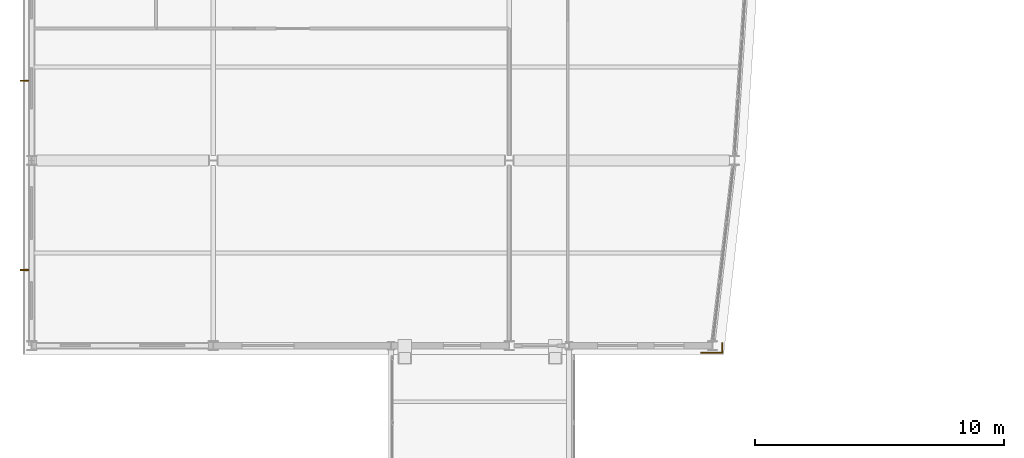
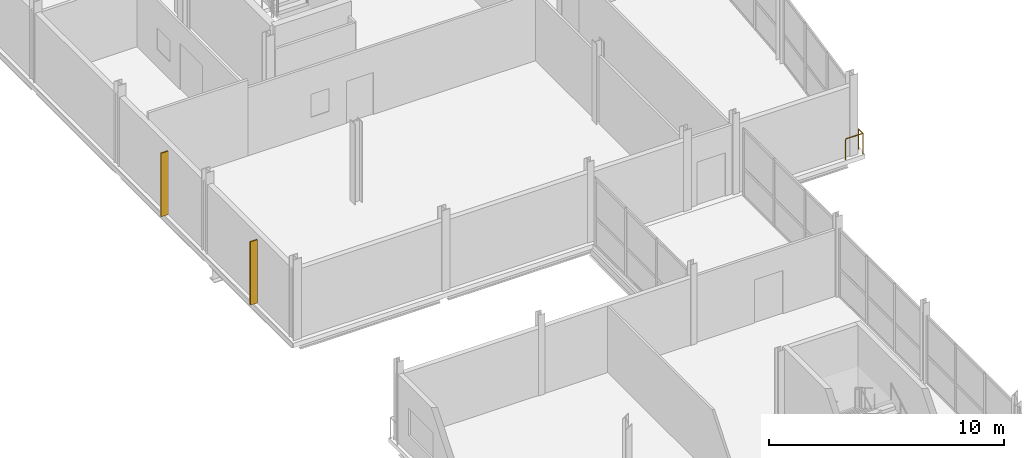
# One storey, part 56 of 60: 2 shading devices, 1 railing.
"""IFC4 building model written with IfcOpenShell, lengths in metres."""

from ifc_helpers import new_model, si_unit, direction, frame, origin, origin_2d, place, context, subcontext, project, spatial, rectangle, circle, extrude, material, type_object, element, save


model = new_model("IFC4")

# Units and contexts
model_context = context("Model", 3, precision=1e-05, world=origin(), true_north=direction((0.0, 1.0)))
body_context = subcontext(model_context, "Body", "Model", "MODEL_VIEW")
ifc_project = project(units=[si_unit("LENGTHUNIT", "METRE"), si_unit("AREAUNIT", "SQUARE_METRE"), si_unit("VOLUMEUNIT", "CUBIC_METRE"), si_unit("PLANEANGLEUNIT", "RADIAN"), si_unit("MASSUNIT", "GRAM", prefix="KILO")], contexts=[model_context])

# Site, building, storey
site_placement = place(None, origin())
site = spatial("IfcSite", under=ifc_project, at=site_placement, CompositionType="ELEMENT")
building_placement = place(site_placement, origin())
building = spatial("IfcBuilding", under=site, at=building_placement, Name="Quillay Park Conservatory", CompositionType="ELEMENT")
storey_placement = place(building_placement, frame((0.0, 0.0, 9.89990234375)))
storey = spatial("IfcBuildingStorey", under=building, at=storey_placement, Name="L02", CompositionType="ELEMENT", Elevation=9.89990234375)

# Railing
ifc_material_1 = material(Name="Steel S355J2H", Category="steel")
railing_type = type_object("IfcRailingType", Name="TERRACE PERIMETER GUARDRAIL 1100", PredefinedType="GUARDRAIL", material=ifc_material_1)
railing_placement = place(storey_placement, frame((27.465087890625, 62.760009765625, 0.0)))
element("IfcRailing", 1, at=railing_placement, inside=storey, type_object=railing_type, Name="L02 Perimeter Safety Guardrail 023", PredefinedType="GUARDRAIL", context=body_context, shape_type="SweptSolid", body=[
    extrude(circle(Radius=0.02392578125, at=origin_2d()), frame((0.0, 0.0, 1.076171875), z_axis=(1.0, 0.0, 0.0), x_axis=(0.0, 1.0, 0.0)), (0.0, 0.0, 1.0), 0.849853515625),
    extrude(circle(Radius=0.02392578125, at=origin_2d()), frame((0.849853515625, 0.0, 1.076171875), z_axis=(0.0, 1.0, 0.0), x_axis=(-1.0, 0.0, 0.0)), (0.0, 0.0, 1.0), 0.389892578125),
    extrude(circle(Radius=0.02099609375, at=origin_2d()), origin(), (0.0, 0.0, 1.0), 1.052001953125),
    extrude(circle(Radius=0.02099609375, at=origin_2d()), frame((0.849853515625, 0.0, 0.0)), (0.0, 0.0, 1.0), 1.052001953125),
    extrude(circle(Radius=0.02099609375, at=origin_2d()), frame((0.849853515625, 0.389892578125, 0.0)), (0.0, 0.0, 1.0), 1.052001953125),
])

# Shading devices
ifc_material_2 = material(Name="Perforated Copper-Bronze Anodised Aluminium", Category="aluminium")
shading_device_type = type_object("IfcShadingDeviceType", Name="COPPER BRONZE SOLAR FIN", PredefinedType="USERDEFINED", material=ifc_material_2)
for number, where, z_axis, x_axis, name in (
    (2, (0.2548828125, 66.10009765625, 0.0), (0.0, 0.0, 1.0), (1.0, 0.0, 0.0), "L02 Perforated Copper-Bronze Solar Fin 001"),
    (3, (0.2548828125, 73.699951171875, 0.0), (0.0, 0.0, 1.0), (1.0, 0.0, 0.0), "L02 Perforated Copper-Bronze Solar Fin 002"),
):
    element("IfcShadingDevice", number, at=place(storey_placement, frame(where, z_axis=z_axis, x_axis=x_axis)), inside=storey, type_object=shading_device_type, Name=name, ObjectType="SOLAR FIN", PredefinedType="USERDEFINED", context=body_context, shape_type="SweptSolid", body=[
        extrude(rectangle(XDim=0.35009765625, YDim=0.054931640625, at=origin_2d()), origin(), (0.0, 0.0, 1.0), 3.300048828125),
    ])

save(model, "model.ifc")
